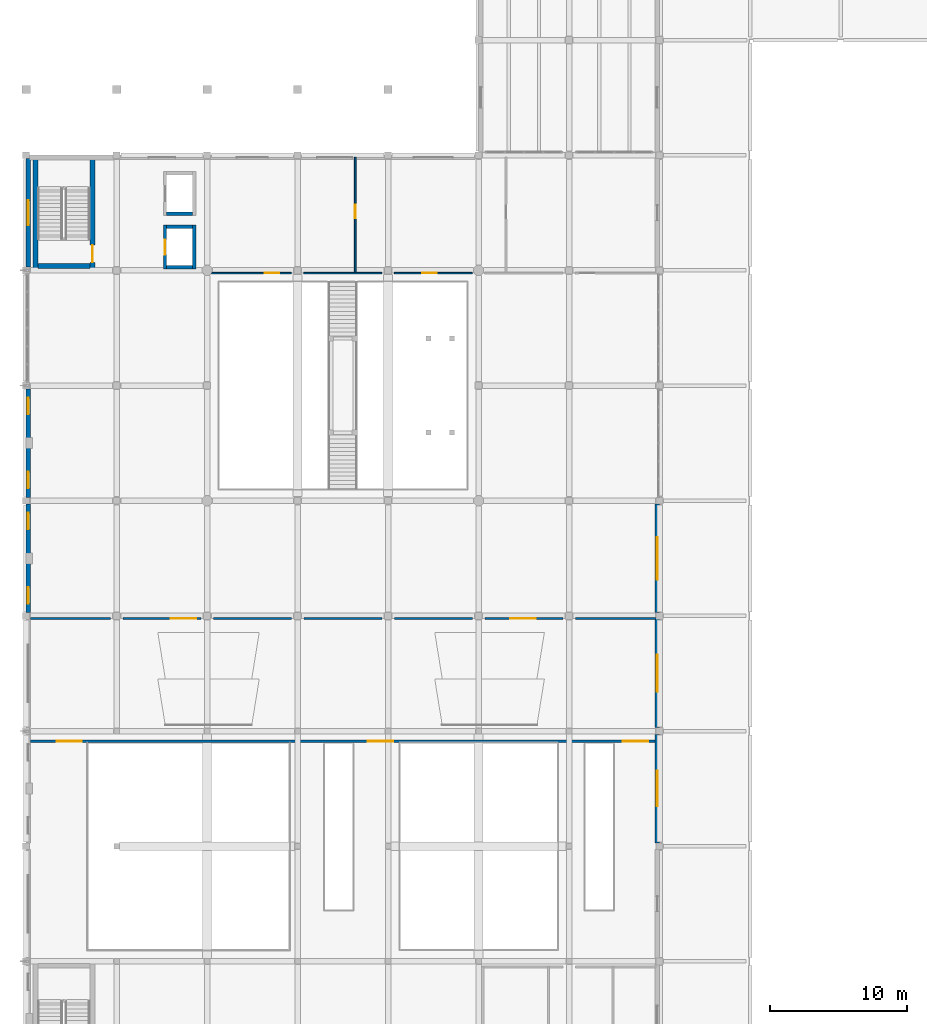
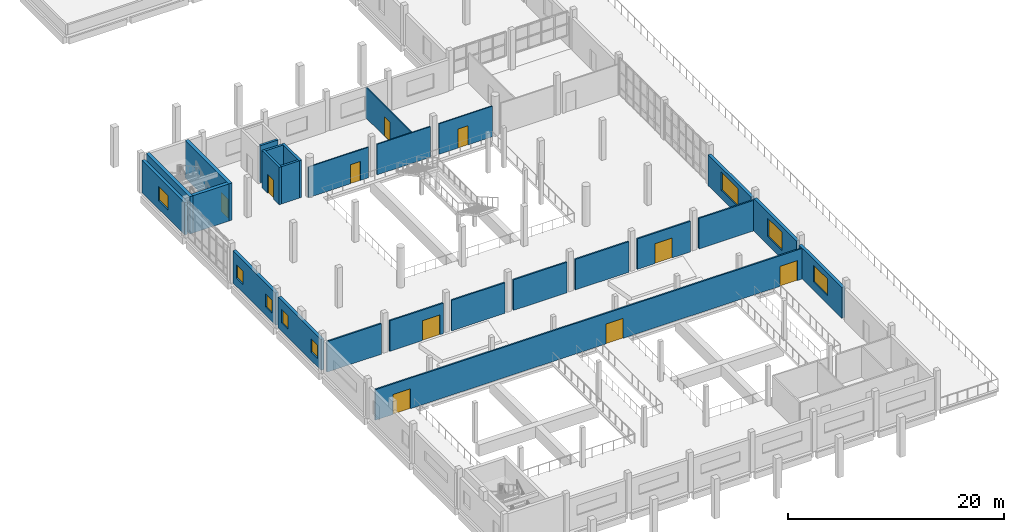
# One storey, part 51 of 83: 26 walls, 10 doors, 8 windows, 18 openings.
"""IFC4 building model written with IfcOpenShell, lengths in metres."""

from ifc_helpers import new_model, si_unit, direction, frame, frame_2d, origin, place, context, subcontext, project, spatial, rectangle, extrude, material, layer, layer_set, type_object, element, fill, save


model = new_model("IFC4")

# Units and contexts
model_context = context("Model", 3, precision=1e-05, world=origin(), true_north=direction((0.0, 1.0)))
body_context = subcontext(model_context, "Body", "Model", "MODEL_VIEW")
ifc_project = project(units=[si_unit("LENGTHUNIT", "METRE"), si_unit("AREAUNIT", "SQUARE_METRE"), si_unit("VOLUMEUNIT", "CUBIC_METRE"), si_unit("PLANEANGLEUNIT", "RADIAN"), si_unit("MASSUNIT", "GRAM", prefix="KILO")], contexts=[model_context])

# Site, building, storey
site_placement = place(None, origin())
site = spatial("IfcSite", under=ifc_project, at=site_placement, CompositionType="ELEMENT")
building_placement = place(site_placement, origin())
building = spatial("IfcBuilding", under=site, at=building_placement, Name="Qaldarim Faculty of Natural and Applied Sciences", CompositionType="ELEMENT")
storey_placement = place(building_placement, frame((0.0, 0.0, 5.39990234375)))
storey = spatial("IfcBuildingStorey", under=building, at=storey_placement, Name="L01", CompositionType="ELEMENT", Elevation=5.39990234375)

# Wall, opening, door
ifc_material_1 = material(Name="Painted gypsum partition board")
ifc_layer_1 = layer(ifc_material_1, 0.1201171875)
ifc_layer_set_1 = layer_set([ifc_layer_1], Name="Painted gypsum partition board")
wall_type_1 = type_object("IfcWallType", Name="AcousticPartition-120", PredefinedType="PARTITIONING", material=ifc_layer_set_1)
wall_1_placement = place(storey_placement, frame((12.89990234375, 75.39990234375, 0.0), z_axis=(0.0, 0.0, 1.0), x_axis=(1.0, 0.0, 0.0)))
wall_1 = element("IfcWall", 1, at=wall_1_placement, inside=storey, type_object=wall_type_1, Name="Interior partition PRT-L01-V2-TUTS-S1", PredefinedType="PARTITIONING", context=body_context, shape_type="SweptSolid", body=[
    extrude(rectangle(XDim=6.4501953125, YDim=0.1201171875, at=frame_2d((3.22509765625, 0.0))), origin(), (0.0, 0.0, 1.0), 3.4501953125),
])
opening_1_placement = place(wall_1_placement, frame((4.5, 0.0, 0.0)))
opening_1 = element("IfcOpeningElement", 2, at=opening_1_placement, cuts=wall_1, Name="Opening ID02", PredefinedType="OPENING", context=body_context, shape_type="SweptSolid", body=[
    extrude(rectangle(XDim=1.050048828125, YDim=2.14990234375, at=frame_2d((0.52490234375, 1.074951171875))), frame((0.0, 0.070068359375, 0.0), z_axis=(0.0, -1.0, 0.0), x_axis=(1.0, 0.0, 0.0)), (0.0, 0.0, 1.0), 0.14013671875),
])
ifc_material_2 = material(Name="Oak hardwood", Category="wood")
door_type_1 = type_object("IfcDoorType", Name="AccessibleRoomDoor-1050x2150", OperationType="NOTDEFINED", PredefinedType="DOOR", material=ifc_material_2)
door_1_placement = place(opening_1_placement, origin())
door_1 = element("IfcDoor", 3, at=door_1_placement, inside=storey, type_object=door_type_1, Name="Interior door D-L01-190", OperationType="SINGLE_SWING_LEFT", OverallHeight=2.14990234375, OverallWidth=1.050048828125, PredefinedType="DOOR", context=body_context, shape_type="SweptSolid", body=[
    extrude(rectangle(XDim=1.050048828125, YDim=2.14990234375, at=frame_2d((0.52490234375, 1.074951171875))), frame((0.0, 0.02490234375, 0.0), z_axis=(0.0, -1.0, 0.0), x_axis=(1.0, 0.0, 0.0)), (0.0, 0.0, 1.0), 0.050048828125),
])
fill(opening_1, door_1)

# Wall
wall_2_placement = place(storey_placement, frame((20.25, 75.39990234375, 0.0), z_axis=(0.0, 0.0, 1.0), x_axis=(1.0, 0.0, 0.0)))
element("IfcWall", 4, at=wall_2_placement, inside=storey, type_object=wall_type_1, Name="Interior partition PRT-L01-V2-TUTS-S2", PredefinedType="PARTITIONING", context=body_context, shape_type="SweptSolid", body=[
    extrude(rectangle(XDim=5.699951171875, YDim=0.1201171875, at=frame_2d((2.85009765625, 0.0))), origin(), (0.0, 0.0, 1.0), 3.4501953125),
])

# Wall, opening, door
wall_3_placement = place(storey_placement, frame((26.85009765625, 75.39990234375, 0.0), z_axis=(0.0, 0.0, 1.0), x_axis=(1.0, 0.0, 0.0)))
wall_3 = element("IfcWall", 5, at=wall_3_placement, inside=storey, type_object=wall_type_1, Name="Interior partition PRT-L01-V2-TUTS-S3", PredefinedType="PARTITIONING", context=body_context, shape_type="SweptSolid", body=[
    extrude(rectangle(XDim=5.699951171875, YDim=0.1201171875, at=frame_2d((2.85009765625, 0.0))), origin(), (0.0, 0.0, 1.0), 3.4501953125),
])
opening_2_placement = place(wall_3_placement, frame((2.050048828125, 0.0, 0.0)))
opening_2 = element("IfcOpeningElement", 6, at=opening_2_placement, cuts=wall_3, Name="Opening ID02", PredefinedType="OPENING", context=body_context, shape_type="SweptSolid", body=[
    extrude(rectangle(XDim=1.050048828125, YDim=2.14990234375, at=frame_2d((0.52490234375, 1.074951171875))), frame((0.0, 0.070068359375, 0.0), z_axis=(0.0, -1.0, 0.0), x_axis=(1.0, 0.0, 0.0)), (0.0, 0.0, 1.0), 0.14013671875),
])
door_2_placement = place(opening_2_placement, origin())
door_2 = element("IfcDoor", 7, at=door_2_placement, inside=storey, type_object=door_type_1, Name="Interior door D-L01-191", OperationType="SINGLE_SWING_RIGHT", OverallHeight=2.14990234375, OverallWidth=1.050048828125, PredefinedType="DOOR", context=body_context, shape_type="SweptSolid", body=[
    extrude(rectangle(XDim=1.050048828125, YDim=2.14990234375, at=frame_2d((0.52490234375, 1.074951171875))), frame((0.0, 0.02490234375, 0.0), z_axis=(0.0, -1.0, 0.0), x_axis=(1.0, 0.0, 0.0)), (0.0, 0.0, 1.0), 0.050048828125),
])
fill(opening_2, door_2)

wall_4_placement = place(storey_placement, frame((24.0, 75.39990234375, 0.0), z_axis=(0.0, 0.0, 1.0), x_axis=(0.0, 1.0, 0.0)))
wall_4 = element("IfcWall", 8, at=wall_4_placement, inside=storey, type_object=wall_type_1, Name="Interior partition PRT-L01-V2-SEMDIV", PredefinedType="PARTITIONING", context=body_context, shape_type="SweptSolid", body=[
    extrude(rectangle(XDim=8.460205078125, YDim=0.1201171875, at=frame_2d((4.22998046875, 0.0))), origin(), (0.0, 0.0, 1.0), 3.4501953125),
])
opening_3_placement = place(wall_4_placement, frame((4.0, 0.0, 0.0)))
opening_3 = element("IfcOpeningElement", 9, at=opening_3_placement, cuts=wall_4, Name="Opening ID08", PredefinedType="OPENING", context=body_context, shape_type="SweptSolid", body=[
    extrude(rectangle(XDim=1.0, YDim=2.199951171875, at=frame_2d((0.5, 1.10009765625))), frame((0.0, 0.070068359375, 0.0), z_axis=(0.0, -1.0, 0.0), x_axis=(1.0, 0.0, 0.0)), (0.0, 0.0, 1.0), 0.14013671875),
])
door_type_2 = type_object("IfcDoorType", Name="SeminarRoomDoor-1000x2200", OperationType="NOTDEFINED", PredefinedType="DOOR", material=ifc_material_2)
door_3_placement = place(opening_3_placement, origin())
door_3 = element("IfcDoor", 10, at=door_3_placement, inside=storey, type_object=door_type_2, Name="Interior door D-L01-376", OperationType="SINGLE_SWING_LEFT", OverallHeight=2.199951171875, OverallWidth=1.0, PredefinedType="DOOR", context=body_context, shape_type="SweptSolid", body=[
    extrude(rectangle(XDim=1.0, YDim=2.199951171875, at=frame_2d((0.5, 1.10009765625))), frame((0.0, 0.02490234375, 0.0), z_axis=(0.0, -1.0, 0.0), x_axis=(1.0, 0.0, 0.0)), (0.0, 0.0, 1.0), 0.050048828125),
])
fill(opening_3, door_3)

# Wall
ifc_material_3 = material(Name="Concrete C50/60", Category="concrete")
ifc_layer_2 = layer(ifc_material_3, 0.360107421875)
ifc_layer_set_2 = layer_set([ifc_layer_2], Name="Concrete C50/60")
wall_type_2 = type_object("IfcWallType", Name="CoreShearWall-360", PredefinedType="SHEAR", material=ifc_layer_set_2)
wall_5_placement = place(storey_placement, frame((0.669921875, 75.739990234375, 0.0), z_axis=(0.0, 0.0, 1.0), x_axis=(0.0, 1.0, 0.0)))
element("IfcWall", 11, at=wall_5_placement, inside=storey, type_object=wall_type_2, Name="Core stair ST-D2 west shear wall L01", PredefinedType="SHEAR", context=body_context, shape_type="SweptSolid", body=[
    extrude(rectangle(XDim=8.090087890625, YDim=0.360107421875, at=frame_2d((4.044921875, 0.0))), origin(), (0.0, 0.0, 1.0), 4.2001953125),
])

# Wall, opening, door
wall_6_placement = place(storey_placement, frame((4.830078125, 75.739990234375, 0.0), z_axis=(0.0, 0.0, 1.0), x_axis=(0.0, 1.0, 0.0)))
wall_6 = element("IfcWall", 12, at=wall_6_placement, inside=storey, type_object=wall_type_2, Name="Core stair ST-D2 east shear wall L01", PredefinedType="SHEAR", context=body_context, shape_type="SweptSolid", body=[
    extrude(rectangle(XDim=8.090087890625, YDim=0.360107421875, at=frame_2d((4.044921875, 0.0))), origin(), (0.0, 0.0, 1.0), 4.2001953125),
])
opening_4_placement = place(wall_6_placement, frame((0.449951171875, 0.0, 0.0)))
opening_4 = element("IfcOpeningElement", 13, at=opening_4_placement, cuts=wall_6, Name="Opening ID04", PredefinedType="OPENING", context=body_context, shape_type="SweptSolid", body=[
    extrude(rectangle(XDim=1.25, YDim=2.14990234375, at=frame_2d((0.625, 1.074951171875))), frame((0.0, 0.18994140625, 0.0), z_axis=(0.0, -1.0, 0.0), x_axis=(1.0, 0.0, 0.0)), (0.0, 0.0, 1.0), 0.380126953125),
])
ifc_material_4 = material(Name="Architectural stainless steel 316", Category="steel")
door_type_3 = type_object("IfcDoorType", Name="StairEnclosureFireDoor-1250x2150", OperationType="NOTDEFINED", PredefinedType="DOOR", material=ifc_material_4)
door_4_placement = place(opening_4_placement, origin())
door_4 = element("IfcDoor", 14, at=door_4_placement, inside=storey, type_object=door_type_3, Name="Protected stair ST-D2 fire door D-L01-554", OperationType="SINGLE_SWING_LEFT", OverallHeight=2.14990234375, OverallWidth=1.25, PredefinedType="DOOR", context=body_context, shape_type="SweptSolid", body=[
    extrude(rectangle(XDim=1.25, YDim=2.14990234375, at=frame_2d((0.625, 1.074951171875))), frame((0.0, 0.02490234375, 0.0), z_axis=(0.0, -1.0, 0.0), x_axis=(1.0, 0.0, 0.0)), (0.0, 0.0, 1.0), 0.050048828125),
])
fill(opening_4, door_4)

# Wall
wall_7_placement = place(storey_placement, frame((0.85009765625, 75.919921875, 0.0), z_axis=(0.0, 0.0, 1.0), x_axis=(1.0, 0.0, 0.0)))
element("IfcWall", 15, at=wall_7_placement, inside=storey, type_object=wall_type_2, Name="Core stair ST-D2 south shear wall L01", PredefinedType="SHEAR", context=body_context, shape_type="SweptSolid", body=[
    extrude(rectangle(XDim=3.7998046875, YDim=0.360107421875, at=frame_2d((1.89990234375, 0.0))), origin(), (0.0, 0.0, 1.0), 4.2001953125),
])

# Wall, openings, windows
ifc_material_5 = material(Name="Precast concrete C40/50", Category="concrete")
ifc_layer_3 = layer(ifc_material_5, 0.320068359375)
ifc_layer_set_3 = layer_set([ifc_layer_3], Name="Precast concrete C40/50")
wall_type_3 = type_object("IfcWallType", Name="ExteriorLimestoneWall-320", PredefinedType="SOLIDWALL", material=ifc_layer_set_3)
wall_8_placement = place(storey_placement, frame((0.159912109375, 58.554931640625, 0.0), z_axis=(0.0, 0.0, 1.0), x_axis=(0.0, -1.0, 0.0)))
wall_8 = element("IfcWall", 16, at=wall_8_placement, inside=storey, type_object=wall_type_3, Name="Exterior wall EW01 L01 W X01Y07", PredefinedType="SOLIDWALL", context=body_context, shape_type="SweptSolid", body=[
    extrude(rectangle(XDim=7.909912109375, YDim=0.320068359375, at=frame_2d((3.955078125, 0.0))), origin(), (0.0, 0.0, 1.0), 3.485107421875),
])
opening_5_placement = place(wall_8_placement, frame((0.64990234375, 0.0, 0.949951171875)))
opening_5 = element("IfcOpeningElement", 17, at=opening_5_placement, cuts=wall_8, Name="Opening WN01", PredefinedType="OPENING", context=body_context, shape_type="SweptSolid", body=[
    extrude(rectangle(XDim=1.199951171875, YDim=1.5, at=frame_2d((0.60009765625, 0.75))), frame((0.0, 0.169921875, 0.0), z_axis=(0.0, -1.0, 0.0), x_axis=(1.0, 0.0, 0.0)), (0.0, 0.0, 1.0), 0.340087890625),
])
opening_6_placement = place(wall_8_placement, frame((6.06005859375, 0.0, 0.949951171875)))
opening_6 = element("IfcOpeningElement", 18, at=opening_6_placement, cuts=wall_8, Name="Opening WN01", PredefinedType="OPENING", context=body_context, shape_type="SweptSolid", body=[
    extrude(rectangle(XDim=1.199951171875, YDim=1.5, at=frame_2d((0.60009765625, 0.75))), frame((0.0, 0.169921875, 0.0), z_axis=(0.0, -1.0, 0.0), x_axis=(1.0, 0.0, 0.0)), (0.0, 0.0, 1.0), 0.340087890625),
])
ifc_material_6 = material(Name="Insulated low-e double glazing", Category="glass")
window_type_1 = type_object("IfcWindowType", Name="Window-1200x1500", PartitioningType="SINGLE_PANEL", PredefinedType="WINDOW", material=ifc_material_6)
window_1_placement = place(opening_5_placement, origin())
window_1 = element("IfcWindow", 19, at=window_1_placement, inside=storey, type_object=window_type_1, Name="Pilaster-bay flanking window L01 W X01Y07-1", OverallHeight=1.5, OverallWidth=1.199951171875, PartitioningType="SINGLE_PANEL", PredefinedType="WINDOW", context=body_context, shape_type="SweptSolid", body=[
    extrude(rectangle(XDim=1.199951171875, YDim=1.5, at=frame_2d((0.60009765625, 0.75))), frame((0.0, 0.030029296875, 0.0), z_axis=(0.0, -1.0, 0.0), x_axis=(1.0, 0.0, 0.0)), (0.0, 0.0, 1.0), 0.06005859375),
])
fill(opening_5, window_1)
window_2_placement = place(opening_6_placement, origin())
window_2 = element("IfcWindow", 20, at=window_2_placement, inside=storey, type_object=window_type_1, Name="Pilaster-bay flanking window L01 W X01Y07-2", OverallHeight=1.5, OverallWidth=1.199951171875, PartitioningType="SINGLE_PANEL", PredefinedType="WINDOW", context=body_context, shape_type="SweptSolid", body=[
    extrude(rectangle(XDim=1.199951171875, YDim=1.5, at=frame_2d((0.60009765625, 0.75))), frame((0.0, 0.030029296875, 0.0), z_axis=(0.0, -1.0, 0.0), x_axis=(1.0, 0.0, 0.0)), (0.0, 0.0, 1.0), 0.06005859375),
])
fill(opening_6, window_2)

wall_9_placement = place(storey_placement, frame((0.159912109375, 66.955078125, 0.0), z_axis=(0.0, 0.0, 1.0), x_axis=(0.0, -1.0, 0.0)))
wall_9 = element("IfcWall", 21, at=wall_9_placement, inside=storey, type_object=wall_type_3, Name="Exterior wall EW01 L01 W X01Y08", PredefinedType="SOLIDWALL", context=body_context, shape_type="SweptSolid", body=[
    extrude(rectangle(XDim=7.91015625, YDim=0.320068359375, at=frame_2d((3.955078125, 0.0))), origin(), (0.0, 0.0, 1.0), 3.635009765625),
])
opening_7_placement = place(wall_9_placement, frame((0.64990234375, 0.0, 0.949951171875)))
opening_7 = element("IfcOpeningElement", 22, at=opening_7_placement, cuts=wall_9, Name="Opening WN01", PredefinedType="OPENING", context=body_context, shape_type="SweptSolid", body=[
    extrude(rectangle(XDim=1.199951171875, YDim=1.5, at=frame_2d((0.60009765625, 0.75))), frame((0.0, 0.169921875, 0.0), z_axis=(0.0, -1.0, 0.0), x_axis=(1.0, 0.0, 0.0)), (0.0, 0.0, 1.0), 0.340087890625),
])
opening_8_placement = place(wall_9_placement, frame((6.06005859375, 0.0, 0.949951171875)))
opening_8 = element("IfcOpeningElement", 23, at=opening_8_placement, cuts=wall_9, Name="Opening WN01", PredefinedType="OPENING", context=body_context, shape_type="SweptSolid", body=[
    extrude(rectangle(XDim=1.199951171875, YDim=1.5, at=frame_2d((0.60009765625, 0.75))), frame((0.0, 0.169921875, 0.0), z_axis=(0.0, -1.0, 0.0), x_axis=(1.0, 0.0, 0.0)), (0.0, 0.0, 1.0), 0.340087890625),
])
window_3_placement = place(opening_7_placement, origin())
window_3 = element("IfcWindow", 24, at=window_3_placement, inside=storey, type_object=window_type_1, Name="Pilaster-bay flanking window L01 W X01Y08-1", OverallHeight=1.5, OverallWidth=1.199951171875, PartitioningType="SINGLE_PANEL", PredefinedType="WINDOW", context=body_context, shape_type="SweptSolid", body=[
    extrude(rectangle(XDim=1.199951171875, YDim=1.5, at=frame_2d((0.60009765625, 0.75))), frame((0.0, 0.030029296875, 0.0), z_axis=(0.0, -1.0, 0.0), x_axis=(1.0, 0.0, 0.0)), (0.0, 0.0, 1.0), 0.06005859375),
])
fill(opening_7, window_3)
window_4_placement = place(opening_8_placement, origin())
window_4 = element("IfcWindow", 25, at=window_4_placement, inside=storey, type_object=window_type_1, Name="Pilaster-bay flanking window L01 W X01Y08-2", OverallHeight=1.5, OverallWidth=1.199951171875, PartitioningType="SINGLE_PANEL", PredefinedType="WINDOW", context=body_context, shape_type="SweptSolid", body=[
    extrude(rectangle(XDim=1.199951171875, YDim=1.5, at=frame_2d((0.60009765625, 0.75))), frame((0.0, 0.030029296875, 0.0), z_axis=(0.0, -1.0, 0.0), x_axis=(1.0, 0.0, 0.0)), (0.0, 0.0, 1.0), 0.06005859375),
])
fill(opening_8, window_4)

# Wall, opening, window
wall_10_placement = place(storey_placement, frame((0.159912109375, 83.7548828125, 0.0), z_axis=(0.0, 0.0, 1.0), x_axis=(0.0, -1.0, 0.0)))
wall_10 = element("IfcWall", 26, at=wall_10_placement, inside=storey, type_object=wall_type_3, Name="Exterior wall EW01 L01 W X01Y10", PredefinedType="SOLIDWALL", context=body_context, shape_type="SweptSolid", body=[
    extrude(rectangle(XDim=7.909912109375, YDim=0.320068359375, at=frame_2d((3.955078125, 0.0))), origin(), (0.0, 0.0, 1.0), 3.635009765625),
])
opening_9_placement = place(wall_10_placement, frame((3.054931640625, 0.0, 0.949951171875)))
opening_9 = element("IfcOpeningElement", 27, at=opening_9_placement, cuts=wall_10, Name="Opening WN02", PredefinedType="OPENING", context=body_context, shape_type="SweptSolid", body=[
    extrude(rectangle(XDim=1.800048828125, YDim=1.60009765625, at=frame_2d((0.89990234375, 0.800048828125))), frame((0.0, 0.169921875, 0.0), z_axis=(0.0, -1.0, 0.0), x_axis=(1.0, 0.0, 0.0)), (0.0, 0.0, 1.0), 0.340087890625),
])
window_type_2 = type_object("IfcWindowType", Name="Window-1800x1600", PartitioningType="DOUBLE_PANEL_VERTICAL", PredefinedType="WINDOW", material=ifc_material_6)
window_5_placement = place(opening_9_placement, origin())
window_5 = element("IfcWindow", 28, at=window_5_placement, inside=storey, type_object=window_type_2, Name="Facade window WN02 L01 W X01Y10", OverallHeight=1.60009765625, OverallWidth=1.800048828125, PartitioningType="SINGLE_PANEL", PredefinedType="WINDOW", context=body_context, shape_type="SweptSolid", body=[
    extrude(rectangle(XDim=1.800048828125, YDim=1.60009765625, at=frame_2d((0.89990234375, 0.800048828125))), frame((0.0, 0.030029296875, 0.0), z_axis=(0.0, -1.0, 0.0), x_axis=(1.0, 0.0, 0.0)), (0.0, 0.0, 1.0), 0.06005859375),
])
fill(opening_9, window_5)

wall_11_placement = place(storey_placement, frame((46.0400390625, 33.844970703125, 0.0), z_axis=(0.0, 0.0, 1.0), x_axis=(0.0, 1.0, 0.0)))
wall_11 = element("IfcWall", 29, at=wall_11_placement, inside=storey, type_object=wall_type_3, Name="Exterior wall EW01 L01 E X07Y05", PredefinedType="SOLIDWALL", context=body_context, shape_type="SweptSolid", body=[
    extrude(rectangle(XDim=7.909912109375, YDim=0.320068359375, at=frame_2d((3.955078125, 0.0))), origin(), (0.0, 0.0, 1.0), 3.485107421875),
])
opening_10_placement = place(wall_11_placement, frame((2.655029296875, 0.0, 0.949951171875)))
opening_10 = element("IfcOpeningElement", 30, at=opening_10_placement, cuts=wall_11, Name="Opening WN22", PredefinedType="OPENING", context=body_context, shape_type="SweptSolid", body=[
    extrude(rectangle(XDim=2.60009765625, YDim=1.89990234375, at=frame_2d((1.300048828125, 0.949951171875))), frame((0.0, 0.169921875, 0.0), z_axis=(0.0, -1.0, 0.0), x_axis=(1.0, 0.0, 0.0)), (0.0, 0.0, 1.0), 0.340087890625),
])
window_type_3 = type_object("IfcWindowType", Name="StudyWindow-2600x1900", PartitioningType="TRIPLE_PANEL_VERTICAL", PredefinedType="WINDOW", material=ifc_material_6)
window_6_placement = place(opening_10_placement, origin())
window_6 = element("IfcWindow", 31, at=window_6_placement, inside=storey, type_object=window_type_3, Name="Facade window WN22 L01 E X07Y05", OverallHeight=1.89990234375, OverallWidth=2.60009765625, PartitioningType="SINGLE_PANEL", PredefinedType="WINDOW", context=body_context, shape_type="SweptSolid", body=[
    extrude(rectangle(XDim=2.60009765625, YDim=1.89990234375, at=frame_2d((1.300048828125, 0.949951171875))), frame((0.0, 0.030029296875, 0.0), z_axis=(0.0, -1.0, 0.0), x_axis=(1.0, 0.0, 0.0)), (0.0, 0.0, 1.0), 0.06005859375),
])
fill(opening_10, window_6)

wall_12_placement = place(storey_placement, frame((46.0400390625, 42.2451171875, 0.0), z_axis=(0.0, 0.0, 1.0), x_axis=(0.0, 1.0, 0.0)))
wall_12 = element("IfcWall", 32, at=wall_12_placement, inside=storey, type_object=wall_type_3, Name="Exterior wall EW01 L01 E X07Y06", PredefinedType="SOLIDWALL", context=body_context, shape_type="SweptSolid", body=[
    extrude(rectangle(XDim=7.909912109375, YDim=0.320068359375, at=frame_2d((3.955078125, 0.0))), origin(), (0.0, 0.0, 1.0), 3.635009765625),
])
opening_11_placement = place(wall_12_placement, frame((2.60498046875, 0.0, 0.949951171875)))
opening_11 = element("IfcOpeningElement", 33, at=opening_11_placement, cuts=wall_12, Name="Opening WN29", PredefinedType="OPENING", context=body_context, shape_type="SweptSolid", body=[
    extrude(rectangle(XDim=2.699951171875, YDim=2.050048828125, at=frame_2d((1.35009765625, 1.02490234375))), frame((0.0, 0.169921875, 0.0), z_axis=(0.0, -1.0, 0.0), x_axis=(1.0, 0.0, 0.0)), (0.0, 0.0, 1.0), 0.340087890625),
])
window_type_4 = type_object("IfcWindowType", Name="GalleryWindow-2700x2050", PartitioningType="TRIPLE_PANEL_VERTICAL", PredefinedType="WINDOW", material=ifc_material_6)
window_7_placement = place(opening_11_placement, origin())
window_7 = element("IfcWindow", 34, at=window_7_placement, inside=storey, type_object=window_type_4, Name="Facade window WN29 L01 E X07Y06", OverallHeight=2.050048828125, OverallWidth=2.699951171875, PartitioningType="SINGLE_PANEL", PredefinedType="WINDOW", context=body_context, shape_type="SweptSolid", body=[
    extrude(rectangle(XDim=2.699951171875, YDim=2.050048828125, at=frame_2d((1.35009765625, 1.02490234375))), frame((0.0, 0.030029296875, 0.0), z_axis=(0.0, -1.0, 0.0), x_axis=(1.0, 0.0, 0.0)), (0.0, 0.0, 1.0), 0.06005859375),
])
fill(opening_11, window_7)

wall_13_placement = place(storey_placement, frame((46.0400390625, 50.64501953125, 0.0), z_axis=(0.0, 0.0, 1.0), x_axis=(0.0, 1.0, 0.0)))
wall_13 = element("IfcWall", 35, at=wall_13_placement, inside=storey, type_object=wall_type_3, Name="Exterior wall EW01 L01 E X07Y07", PredefinedType="SOLIDWALL", context=body_context, shape_type="SweptSolid", body=[
    extrude(rectangle(XDim=7.909912109375, YDim=0.320068359375, at=frame_2d((3.955078125, 0.0))), origin(), (0.0, 0.0, 1.0), 3.485107421875),
])
opening_12_placement = place(wall_13_placement, frame((2.405029296875, 0.0, 0.949951171875)))
opening_12 = element("IfcOpeningElement", 36, at=opening_12_placement, cuts=wall_13, Name="Opening WN30", PredefinedType="OPENING", context=body_context, shape_type="SweptSolid", body=[
    extrude(rectangle(XDim=3.10009765625, YDim=2.050048828125, at=frame_2d((1.550048828125, 1.02490234375))), frame((0.0, 0.169921875, 0.0), z_axis=(0.0, -1.0, 0.0), x_axis=(1.0, 0.0, 0.0)), (0.0, 0.0, 1.0), 0.340087890625),
])
window_type_5 = type_object("IfcWindowType", Name="GalleryWindow-3100x2050", PartitioningType="TRIPLE_PANEL_VERTICAL", PredefinedType="WINDOW", material=ifc_material_6)
window_8_placement = place(opening_12_placement, origin())
window_8 = element("IfcWindow", 37, at=window_8_placement, inside=storey, type_object=window_type_5, Name="Facade window WN30 L01 E X07Y07", OverallHeight=2.050048828125, OverallWidth=3.10009765625, PartitioningType="SINGLE_PANEL", PredefinedType="WINDOW", context=body_context, shape_type="SweptSolid", body=[
    extrude(rectangle(XDim=3.10009765625, YDim=2.050048828125, at=frame_2d((1.550048828125, 1.02490234375))), frame((0.0, 0.030029296875, 0.0), z_axis=(0.0, -1.0, 0.0), x_axis=(1.0, 0.0, 0.0)), (0.0, 0.0, 1.0), 0.06005859375),
])
fill(opening_12, window_8)

# Wall, openings, doors
ifc_material_7 = material(Name="Concrete C40/50", Category="concrete")
ifc_layer_4 = layer(ifc_material_7, 0.159912109375)
ifc_layer_set_4 = layer_set([ifc_layer_4], Name="Concrete C40/50")
wall_type_4 = type_object("IfcWallType", Name="FireCorridorWall-160", PredefinedType="PARTITIONING", material=ifc_layer_set_4)
wall_14_placement = place(storey_placement, frame((0.320068359375, 41.25, 0.0), z_axis=(0.0, 0.0, 1.0), x_axis=(1.0, 0.0, 0.0)))
wall_14 = element("IfcWall", 38, at=wall_14_placement, inside=storey, type_object=wall_type_4, Name="Interior partition PRT-L01-V1-BLS", PredefinedType="PARTITIONING", context=body_context, shape_type="SweptSolid", body=[
    extrude(rectangle(XDim=45.6298828125, YDim=0.159912109375, at=frame_2d((22.81494140625, 0.0))), origin(), (0.0, 0.0, 1.0), 3.4501953125),
])
opening_13_placement = place(wall_14_placement, frame((1.89990234375, 0.0, 0.0)))
opening_13 = element("IfcOpeningElement", 39, at=opening_13_placement, cuts=wall_14, Name="Opening ID05", PredefinedType="OPENING", context=body_context, shape_type="SweptSolid", body=[
    extrude(rectangle(XDim=1.85009765625, YDim=2.25, at=frame_2d((0.925048828125, 1.125))), frame((0.0, 0.08984375, 0.0), z_axis=(0.0, -1.0, 0.0), x_axis=(1.0, 0.0, 0.0)), (0.0, 0.0, 1.0), 0.179931640625),
])
opening_14_placement = place(wall_14_placement, frame((24.60009765625, 0.0, 0.0)))
opening_14 = element("IfcOpeningElement", 40, at=opening_14_placement, cuts=wall_14, Name="Opening ID05", PredefinedType="OPENING", context=body_context, shape_type="SweptSolid", body=[
    extrude(rectangle(XDim=1.85009765625, YDim=2.25, at=frame_2d((0.925048828125, 1.125))), frame((0.0, 0.08984375, 0.0), z_axis=(0.0, -1.0, 0.0), x_axis=(1.0, 0.0, 0.0)), (0.0, 0.0, 1.0), 0.179931640625),
])
opening_15_placement = place(wall_14_placement, frame((43.199951171875, 0.0, 0.0)))
opening_15 = element("IfcOpeningElement", 41, at=opening_15_placement, cuts=wall_14, Name="Opening ID05", PredefinedType="OPENING", context=body_context, shape_type="SweptSolid", body=[
    extrude(rectangle(XDim=1.85009765625, YDim=2.25, at=frame_2d((0.925048828125, 1.125))), frame((0.0, 0.08984375, 0.0), z_axis=(0.0, -1.0, 0.0), x_axis=(1.0, 0.0, 0.0)), (0.0, 0.0, 1.0), 0.179931640625),
])
door_type_4 = type_object("IfcDoorType", Name="LectureDoubleDoor-1850x2250", OperationType="NOTDEFINED", PredefinedType="DOOR", material=ifc_material_2)
door_5_placement = place(opening_13_placement, frame((1.85009765625, 0.0, 0.0), z_axis=(0.0, 0.0, 1.0), x_axis=(-1.0, 0.0, 0.0)))
door_5 = element("IfcDoor", 42, at=door_5_placement, inside=storey, type_object=door_type_4, Name="Interior door D-L01-185", OperationType="DOUBLE_DOOR_SINGLE_SWING", OverallHeight=2.25, OverallWidth=1.85009765625, PredefinedType="DOOR", context=body_context, shape_type="SweptSolid", body=[
    extrude(rectangle(XDim=1.85009765625, YDim=2.25, at=frame_2d((0.925048828125, 1.125))), frame((0.0, 0.02490234375, 0.0), z_axis=(0.0, -1.0, 0.0), x_axis=(1.0, 0.0, 0.0)), (0.0, 0.0, 1.0), 0.050048828125),
])
fill(opening_13, door_5)
door_6_placement = place(opening_14_placement, frame((1.85009765625, 0.0, 0.0), z_axis=(0.0, 0.0, 1.0), x_axis=(-1.0, 0.0, 0.0)))
door_6 = element("IfcDoor", 43, at=door_6_placement, inside=storey, type_object=door_type_4, Name="Interior door D-L01-186", OperationType="DOUBLE_DOOR_SINGLE_SWING", OverallHeight=2.25, OverallWidth=1.85009765625, PredefinedType="DOOR", context=body_context, shape_type="SweptSolid", body=[
    extrude(rectangle(XDim=1.85009765625, YDim=2.25, at=frame_2d((0.925048828125, 1.125))), frame((0.0, 0.02490234375, 0.0), z_axis=(0.0, -1.0, 0.0), x_axis=(1.0, 0.0, 0.0)), (0.0, 0.0, 1.0), 0.050048828125),
])
fill(opening_14, door_6)
door_7_placement = place(opening_15_placement, frame((1.85009765625, 0.0, 0.0), z_axis=(0.0, 0.0, 1.0), x_axis=(-1.0, 0.0, 0.0)))
door_7 = element("IfcDoor", 44, at=door_7_placement, inside=storey, type_object=door_type_4, Name="Interior door D-L01-187", OperationType="DOUBLE_DOOR_SINGLE_SWING", OverallHeight=2.25, OverallWidth=1.85009765625, PredefinedType="DOOR", context=body_context, shape_type="SweptSolid", body=[
    extrude(rectangle(XDim=1.85009765625, YDim=2.25, at=frame_2d((0.925048828125, 1.125))), frame((0.0, 0.02490234375, 0.0), z_axis=(0.0, -1.0, 0.0), x_axis=(1.0, 0.0, 0.0)), (0.0, 0.0, 1.0), 0.050048828125),
])
fill(opening_15, door_7)

# Wall
wall_15_placement = place(storey_placement, frame((0.320068359375, 50.199951171875, 0.0), z_axis=(0.0, 0.0, 1.0), x_axis=(1.0, 0.0, 0.0)))
element("IfcWall", 45, at=wall_15_placement, inside=storey, type_object=wall_type_4, Name="Interior partition PRT-L01-V1-BLN-S1", PredefinedType="PARTITIONING", context=body_context, shape_type="SweptSolid", body=[
    extrude(rectangle(XDim=5.829833984375, YDim=0.159912109375, at=frame_2d((2.9150390625, 0.0))), origin(), (0.0, 0.0, 1.0), 3.4501953125),
])

# Wall, opening, door
wall_16_placement = place(storey_placement, frame((7.050048828125, 50.199951171875, 0.0), z_axis=(0.0, 0.0, 1.0), x_axis=(1.0, 0.0, 0.0)))
wall_16 = element("IfcWall", 46, at=wall_16_placement, inside=storey, type_object=wall_type_4, Name="Interior partition PRT-L01-V1-BLN-S2", PredefinedType="PARTITIONING", context=body_context, shape_type="SweptSolid", body=[
    extrude(rectangle(XDim=5.699951171875, YDim=0.159912109375, at=frame_2d((2.85009765625, 0.0))), origin(), (0.0, 0.0, 1.0), 3.4501953125),
])
opening_16_placement = place(wall_16_placement, frame((3.5, 0.0, 0.0)))
opening_16 = element("IfcOpeningElement", 47, at=opening_16_placement, cuts=wall_16, Name="Opening ID05", PredefinedType="OPENING", context=body_context, shape_type="SweptSolid", body=[
    extrude(rectangle(XDim=1.85009765625, YDim=2.25, at=frame_2d((0.925048828125, 1.125))), frame((0.0, 0.08984375, 0.0), z_axis=(0.0, -1.0, 0.0), x_axis=(1.0, 0.0, 0.0)), (0.0, 0.0, 1.0), 0.179931640625),
])
door_8_placement = place(opening_16_placement, origin())
door_8 = element("IfcDoor", 48, at=door_8_placement, inside=storey, type_object=door_type_4, Name="Interior door D-L01-188", OperationType="DOUBLE_DOOR_SINGLE_SWING", OverallHeight=2.25, OverallWidth=1.85009765625, PredefinedType="DOOR", context=body_context, shape_type="SweptSolid", body=[
    extrude(rectangle(XDim=1.85009765625, YDim=2.25, at=frame_2d((0.925048828125, 1.125))), frame((0.0, 0.02490234375, 0.0), z_axis=(0.0, -1.0, 0.0), x_axis=(1.0, 0.0, 0.0)), (0.0, 0.0, 1.0), 0.050048828125),
])
fill(opening_16, door_8)

# Walls
wall_17_placement = place(storey_placement, frame((13.64990234375, 50.199951171875, 0.0), z_axis=(0.0, 0.0, 1.0), x_axis=(1.0, 0.0, 0.0)))
element("IfcWall", 49, at=wall_17_placement, inside=storey, type_object=wall_type_4, Name="Interior partition PRT-L01-V1-BLN-S3", PredefinedType="PARTITIONING", context=body_context, shape_type="SweptSolid", body=[
    extrude(rectangle(XDim=5.7001953125, YDim=0.159912109375, at=frame_2d((2.85009765625, 0.0))), origin(), (0.0, 0.0, 1.0), 3.4501953125),
])
for number, where, z_axis, x_axis, name in (
    (50, (20.25, 50.199951171875, 0.0), (0.0, 0.0, 1.0), (1.0, 0.0, 0.0), "Interior partition PRT-L01-V1-BLN-S4"),
    (51, (26.85009765625, 50.199951171875, 0.0), (0.0, 0.0, 1.0), (1.0, 0.0, 0.0), "Interior partition PRT-L01-V1-BLN-S5"),
):
    element("IfcWall", number, at=place(storey_placement, frame(where, z_axis=z_axis, x_axis=x_axis)), inside=storey, type_object=wall_type_4, Name=name, PredefinedType="PARTITIONING", context=body_context, shape_type="SweptSolid", body=[
        extrude(rectangle(XDim=5.699951171875, YDim=0.159912109375, at=frame_2d((2.85009765625, 0.0))), origin(), (0.0, 0.0, 1.0), 3.4501953125),
    ])

# Wall, opening, door
wall_18_placement = place(storey_placement, frame((33.449951171875, 50.199951171875, 0.0), z_axis=(0.0, 0.0, 1.0), x_axis=(1.0, 0.0, 0.0)))
wall_18 = element("IfcWall", 52, at=wall_18_placement, inside=storey, type_object=wall_type_4, Name="Interior partition PRT-L01-V1-BLN-S6", PredefinedType="PARTITIONING", context=body_context, shape_type="SweptSolid", body=[
    extrude(rectangle(XDim=5.699951171875, YDim=0.159912109375, at=frame_2d((2.85009765625, 0.0))), origin(), (0.0, 0.0, 1.0), 3.4501953125),
])
opening_17_placement = place(wall_18_placement, frame((1.8701171875, 0.0, 0.0)))
opening_17 = element("IfcOpeningElement", 53, at=opening_17_placement, cuts=wall_18, Name="Opening ID05", PredefinedType="OPENING", context=body_context, shape_type="SweptSolid", body=[
    extrude(rectangle(XDim=1.85009765625, YDim=2.25, at=frame_2d((0.925048828125, 1.125))), frame((0.0, 0.08984375, 0.0), z_axis=(0.0, -1.0, 0.0), x_axis=(1.0, 0.0, 0.0)), (0.0, 0.0, 1.0), 0.179931640625),
])
door_9_placement = place(opening_17_placement, origin())
door_9 = element("IfcDoor", 54, at=door_9_placement, inside=storey, type_object=door_type_4, Name="Interior door D-L01-189", OperationType="DOUBLE_DOOR_SINGLE_SWING", OverallHeight=2.25, OverallWidth=1.85009765625, PredefinedType="DOOR", context=body_context, shape_type="SweptSolid", body=[
    extrude(rectangle(XDim=1.85009765625, YDim=2.25, at=frame_2d((0.925048828125, 1.125))), frame((0.0, 0.02490234375, 0.0), z_axis=(0.0, -1.0, 0.0), x_axis=(1.0, 0.0, 0.0)), (0.0, 0.0, 1.0), 0.050048828125),
])
fill(opening_17, door_9)

# Wall
wall_19_placement = place(storey_placement, frame((40.050048828125, 50.199951171875, 0.0), z_axis=(0.0, 0.0, 1.0), x_axis=(1.0, 0.0, 0.0)))
element("IfcWall", 55, at=wall_19_placement, inside=storey, type_object=wall_type_4, Name="Interior partition PRT-L01-V1-BLN-S7", PredefinedType="PARTITIONING", context=body_context, shape_type="SweptSolid", body=[
    extrude(rectangle(XDim=5.89990234375, YDim=0.159912109375, at=frame_2d((2.949951171875, 0.0))), origin(), (0.0, 0.0, 1.0), 3.4501953125),
])

# Wall, opening, door
ifc_layer_5 = layer(ifc_material_7, 0.25)
ifc_layer_set_5 = layer_set([ifc_layer_5], Name="Concrete C40/50")
wall_type_5 = type_object("IfcWallType", Name="LiftShaftWall-250", PredefinedType="SHEAR", material=ifc_layer_set_5)
wall_20_placement = place(storey_placement, frame((10.125, 75.699951171875, 0.0), z_axis=(0.0, 0.0, 1.0), x_axis=(0.0, 1.0, 0.0)))
wall_20 = element("IfcWall", 56, at=wall_20_placement, inside=storey, type_object=wall_type_5, Name="Lift LF-D1 front shaft wall L01", PredefinedType="SHEAR", context=body_context, shape_type="SweptSolid", body=[
    extrude(rectangle(XDim=3.199951171875, YDim=0.25, at=frame_2d((1.60009765625, 0.0))), origin(), (0.0, 0.0, 1.0), 4.2001953125),
])
opening_18_placement = place(wall_20_placement, frame((1.050048828125, 0.0, 0.0)))
opening_18 = element("IfcOpeningElement", 57, at=opening_18_placement, cuts=wall_20, Name="Opening LD01", PredefinedType="OPENING", context=body_context, shape_type="SweptSolid", body=[
    extrude(rectangle(XDim=1.10009765625, YDim=2.14990234375, at=frame_2d((0.550048828125, 1.074951171875))), frame((0.0, 0.135009765625, 0.0), z_axis=(0.0, -1.0, 0.0), x_axis=(1.0, 0.0, 0.0)), (0.0, 0.0, 1.0), 0.27001953125),
])
door_type_5 = type_object("IfcDoorType", Name="LiftLandingSlidingDoor-1100x2150", OperationType="NOTDEFINED", PredefinedType="DOOR", material=ifc_material_4)
door_10_placement = place(opening_18_placement, origin())
door_10 = element("IfcDoor", 58, at=door_10_placement, inside=storey, type_object=door_type_5, Name="Lift landing sliding door LF-D1 D-L01-664", OperationType="SLIDING_TO_LEFT", OverallHeight=2.14990234375, OverallWidth=1.10009765625, PredefinedType="DOOR", context=body_context, shape_type="SweptSolid", body=[
    extrude(rectangle(XDim=1.10009765625, YDim=2.14990234375, at=frame_2d((0.550048828125, 1.074951171875))), frame((0.0, 0.02490234375, 0.0), z_axis=(0.0, -1.0, 0.0), x_axis=(1.0, 0.0, 0.0)), (0.0, 0.0, 1.0), 0.050048828125),
])
fill(opening_18, door_10)

# Walls
wall_21_placement = place(storey_placement, frame((12.27490234375, 75.699951171875, 0.0), z_axis=(0.0, 0.0, 1.0), x_axis=(0.0, 1.0, 0.0)))
element("IfcWall", 59, at=wall_21_placement, inside=storey, type_object=wall_type_5, Name="Lift LF-D1 rear shaft wall L01", PredefinedType="SHEAR", context=body_context, shape_type="SweptSolid", body=[
    extrude(rectangle(XDim=3.199951171875, YDim=0.25, at=frame_2d((1.60009765625, 0.0))), origin(), (0.0, 0.0, 1.0), 4.2001953125),
])
for number, where, z_axis, x_axis, name in (
    (60, (10.25, 75.824951171875, 0.0), (0.0, 0.0, 1.0), (1.0, 0.0, 0.0), "Lift LF-D1 south shaft wall L01"),
    (61, (10.25, 78.77490234375, 0.0), (0.0, 0.0, 1.0), (1.0, 0.0, 0.0), "Lift LF-D1 north shaft wall L01"),
    (62, (10.25, 79.72509765625, 0.0), (0.0, 0.0, 1.0), (1.0, 0.0, 0.0), "Lift LF-D2 south shaft wall L01"),
):
    element("IfcWall", number, at=place(storey_placement, frame(where, z_axis=z_axis, x_axis=x_axis)), inside=storey, type_object=wall_type_5, Name=name, PredefinedType="SHEAR", context=body_context, shape_type="SweptSolid", body=[
        extrude(rectangle(XDim=1.89990234375, YDim=0.25, at=frame_2d((0.949951171875, 0.0))), origin(), (0.0, 0.0, 1.0), 4.2001953125),
    ])

save(model, "model.ifc")
